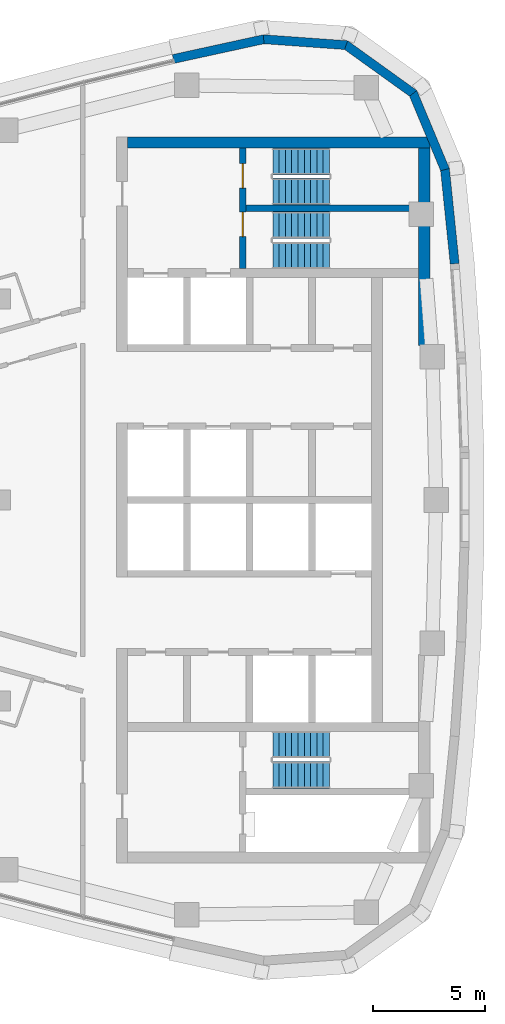
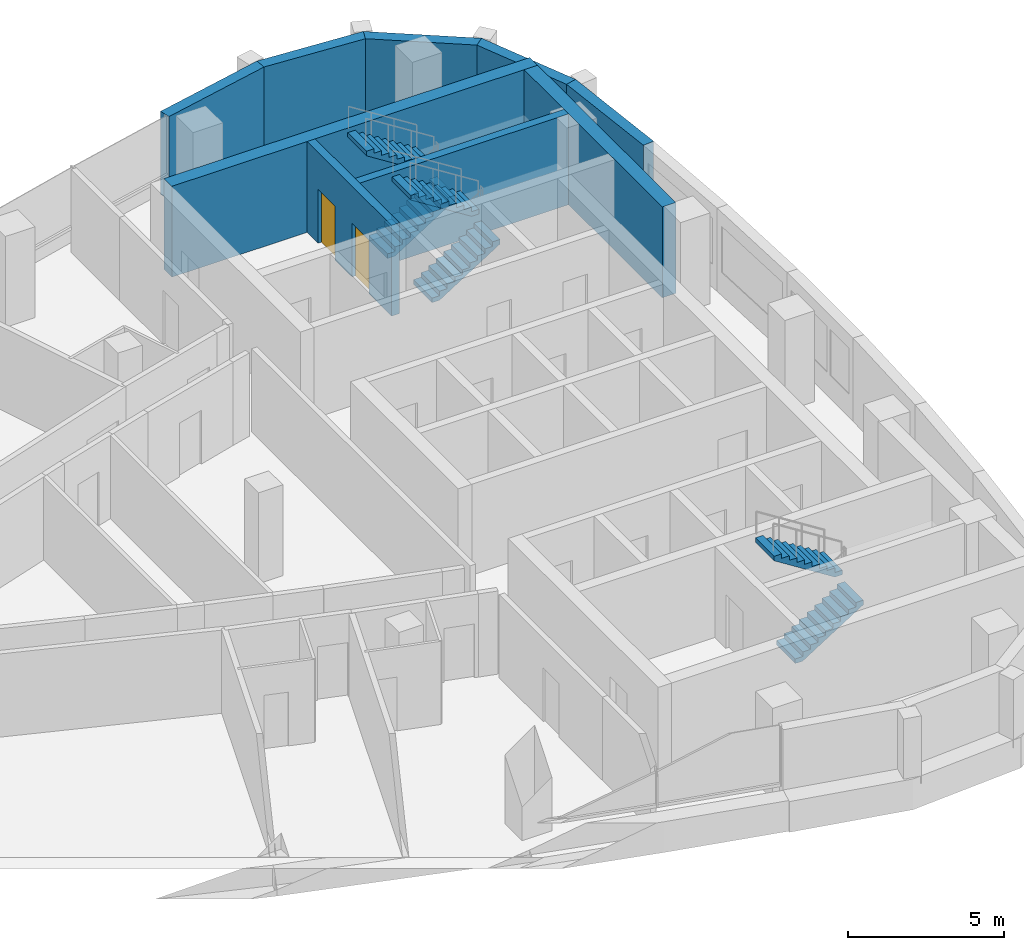
# One storey, part 10 of 14: 9 walls, 6 stair flights, 2 doors, 2 openings, 3 elements without a shape of their own.
"""IFC4 building model written with IfcOpenShell, lengths in metres."""

from ifc_helpers import new_model, si_unit, direction, frame, frame_2d, origin, place, context, subcontext, project, spatial, polyline, rectangle, outline, extrude, material, layer, layer_set, type_object, element, fill, aggregate, save


model = new_model("IFC4")

# Units and contexts
model_context = context("Model", 3, precision=1e-05, world=origin(), true_north=direction((0.0, 1.0)))
body_context = subcontext(model_context, "Body", "Model", "MODEL_VIEW")
ifc_project = project(units=[si_unit("LENGTHUNIT", "METRE"), si_unit("AREAUNIT", "SQUARE_METRE"), si_unit("VOLUMEUNIT", "CUBIC_METRE"), si_unit("PLANEANGLEUNIT", "RADIAN"), si_unit("MASSUNIT", "GRAM", prefix="KILO")], contexts=[model_context])

# Site, building, storey
site_placement = place(None, origin())
site = spatial("IfcSite", under=ifc_project, at=site_placement, CompositionType="ELEMENT")
building_placement = place(site_placement, origin())
building = spatial("IfcBuilding", under=site, at=building_placement, Name="Ostrand Prow Hotel Tower", CompositionType="ELEMENT")
storey_placement = place(building_placement, frame((0.0, 0.0, 271.449951171875)))
storey = spatial("IfcBuildingStorey", under=building, at=storey_placement, Name="L68", CompositionType="ELEMENT", Elevation=271.449951171875)

# Wall, openings, doors
ifc_material_1 = material(Name="Concrete C50/60", Category="concrete")
ifc_layer_1 = layer(ifc_material_1, 0.300048828125)
ifc_layer_set_1 = layer_set([ifc_layer_1], Name="Concrete C50/60")
wall_type_1 = type_object("IfcWallType", Name="Core wall 300 C50/60", PredefinedType="SHEAR", material=ifc_layer_set_1)
wall_1_placement = place(storey_placement, frame((55.85009765625, 10.35009765625, 0.0), z_axis=(0.0, 0.0, 1.0), x_axis=(0.0, 1.0, 0.0)))
wall_1 = element("IfcWall", 1, at=wall_1_placement, inside=storey, type_object=wall_type_1, Name="Core wall PW-VN", PredefinedType="SHEAR", context=body_context, shape_type="SweptSolid", body=[
    extrude(rectangle(XDim=5.39990234375, YDim=0.300048828125, at=frame_2d((2.699951171875, 0.0))), origin(), (0.0, 0.0, 1.0), 3.550048828125),
])
opening_1_placement = place(wall_1_placement, frame((1.429931640625, 0.0, 0.0)))
opening_1 = element("IfcOpeningElement", 2, at=opening_1_placement, cuts=wall_1, Name="Opening FD1", PredefinedType="OPENING", context=body_context, shape_type="SweptSolid", body=[
    extrude(rectangle(XDim=1.10009765625, YDim=2.10009765625, at=frame_2d((0.550048828125, 1.050048828125))), frame((0.0, 0.159912109375, 0.0), z_axis=(0.0, -1.0, 0.0), x_axis=(1.0, 0.0, 0.0)), (0.0, 0.0, 1.0), 0.320068359375),
])
opening_2_placement = place(wall_1_placement, frame((3.60009765625, 0.0, 0.0)))
opening_2 = element("IfcOpeningElement", 3, at=opening_2_placement, cuts=wall_1, Name="Opening FD1", PredefinedType="OPENING", context=body_context, shape_type="SweptSolid", body=[
    extrude(rectangle(XDim=1.10009765625, YDim=2.10009765625, at=frame_2d((0.550048828125, 1.050048828125))), frame((0.0, 0.159912109375, 0.0), z_axis=(0.0, -1.0, 0.0), x_axis=(1.0, 0.0, 0.0)), (0.0, 0.0, 1.0), 0.320068359375),
])
ifc_material_2 = material(Name="Steel fire door", Category="steel")
door_type = type_object("IfcDoorType", Name="Fire door 1100 EI120", OperationType="SINGLE_SWING_RIGHT", PredefinedType="DOOR", material=ifc_material_2)
door_1_placement = place(opening_1_placement, origin())
door_1 = element("IfcDoor", 4, at=door_1_placement, inside=storey, type_object=door_type, Name="FIRE DOOR", OperationType="SINGLE_SWING_RIGHT", OverallHeight=2.10009765625, OverallWidth=1.10009765625, PredefinedType="DOOR", context=body_context, shape_type="SweptSolid", body=[
    extrude(rectangle(XDim=1.10009765625, YDim=2.10009765625, at=frame_2d((0.550048828125, 1.050048828125))), frame((0.0, 0.02490234375, 0.0), z_axis=(0.0, -1.0, 0.0), x_axis=(1.0, 0.0, 0.0)), (0.0, 0.0, 1.0), 0.050048828125),
])
fill(opening_1, door_1)
door_2_placement = place(opening_2_placement, origin())
door_2 = element("IfcDoor", 5, at=door_2_placement, inside=storey, type_object=door_type, Name="FIRE DOOR", OperationType="SINGLE_SWING_RIGHT", OverallHeight=2.10009765625, OverallWidth=1.10009765625, PredefinedType="DOOR", context=body_context, shape_type="SweptSolid", body=[
    extrude(rectangle(XDim=1.10009765625, YDim=2.10009765625, at=frame_2d((0.550048828125, 1.050048828125))), frame((0.0, 0.02490234375, 0.0), z_axis=(0.0, -1.0, 0.0), x_axis=(1.0, 0.0, 0.0)), (0.0, 0.0, 1.0), 0.050048828125),
])
fill(opening_2, door_2)

# Walls
wall_2_placement = place(storey_placement, frame((56.0, 13.050048828125, 0.0), z_axis=(0.0, 0.0, 1.0), x_axis=(1.0, 0.0, 0.0)))
element("IfcWall", 6, at=wall_2_placement, inside=storey, type_object=wall_type_1, Name="Core wall PW-ST13", PredefinedType="SHEAR", context=body_context, shape_type="SweptSolid", body=[
    extrude(rectangle(XDim=7.719970703125, YDim=0.300048828125, at=frame_2d((3.85986328125, 0.0))), origin(), (0.0, 0.0, 1.0), 3.550048828125),
])
ifc_material_3 = material(Name="Concrete C50/60", Category="concrete")
ifc_layer_2 = layer(ifc_material_3, 0.5)
ifc_layer_set_2 = layer_set([ifc_layer_2], Name="Concrete C50/60")
wall_type_2 = type_object("IfcWallType", Name="Core wall 500 C50/60", PredefinedType="SHEAR", material=ifc_layer_set_2)
wall_3_placement = place(storey_placement, frame((50.699951171875, 16.0, 0.0), z_axis=(0.0, 0.0, 1.0), x_axis=(1.0, 0.0, 0.0)))
element("IfcWall", 7, at=wall_3_placement, inside=storey, type_object=wall_type_2, Name="Core wall CW-N", PredefinedType="SHEAR", context=body_context, shape_type="SweptSolid", body=[
    extrude(rectangle(XDim=13.52001953125, YDim=0.5, at=frame_2d((6.760009765625, 0.0))), origin(), (0.0, 0.0, 1.0), 3.550048828125),
])
wall_4_placement = place(storey_placement, frame((63.969970703125, 6.9033203125, 0.0), z_axis=(0.0, 0.0, 1.0), x_axis=(0.0, 1.0, 0.0)))
element("IfcWall", 8, at=wall_4_placement, inside=storey, type_object=wall_type_2, Name="Core wall CW-E-N", PredefinedType="SHEAR", context=body_context, shape_type="SweptSolid", body=[
    extrude(rectangle(XDim=8.8466796875, YDim=0.5, at=frame_2d((4.42333984375, 0.0))), origin(), (0.0, 0.0, 1.0), 3.550048828125),
])
ifc_material_4 = material(Name="Precast concrete C40/50", Category="concrete")
ifc_layer_3 = layer(ifc_material_4, 0.39990234375)
ifc_layer_set_3 = layer_set([ifc_layer_3], Name="Precast concrete C40/50")
wall_type_3 = type_object("IfcWallType", Name="Stone-faced precast wall 400 mm", PredefinedType="NOTDEFINED", material=ifc_layer_set_3)
wall_5_placement = place(storey_placement, frame((65.3310546875, 10.5712890625, 0.0), z_axis=(0.0, 0.0, 1.0), x_axis=(-0.102249826987, 0.994758751096, 0.0)))
element("IfcWall", 9, at=wall_5_placement, inside=storey, type_object=wall_type_3, Name="Stone-faced wall back 11", PredefinedType="NOTDEFINED", context=body_context, shape_type="SweptSolid", body=[
    extrude(outline(polyline([(-0.00341796875, -0.199951171875), (4.262939453125, -0.199951171875), (4.203857421875, 0.199951171875), (0.00341796875, 0.199951171875), (-0.00341796875, -0.199951171875)])), origin(), (0.0, 0.0, 1.0), 3.25),
])
wall_6_placement = place(storey_placement, frame((64.898193359375, 14.782470703125, 0.0), z_axis=(0.0, 0.0, 1.0), x_axis=(-0.385285857918, 0.922797273343, 0.0)))
element("IfcWall", 10, at=wall_6_placement, inside=storey, type_object=wall_type_3, Name="Stone-faced wall back 12", PredefinedType="NOTDEFINED", context=body_context, shape_type="SweptSolid", body=[
    extrude(outline(polyline([(-0.029541015625, -0.199951171875), (3.75341796875, -0.199951171875), (3.64013671875, 0.199951171875), (0.029541015625, 0.199951171875), (-0.029541015625, -0.199951171875)])), origin(), (0.0, 0.0, 1.0), 3.25),
])
wall_7_placement = place(storey_placement, frame((63.473876953125, 18.19384765625, 0.0), z_axis=(0.0, 0.0, 1.0), x_axis=(-0.811962548682, 0.583709533533, 0.0)))
element("IfcWall", 11, at=wall_7_placement, inside=storey, type_object=wall_type_3, Name="Stone-faced wall back 13", PredefinedType="NOTDEFINED", context=body_context, shape_type="SweptSolid", body=[
    extrude(outline(polyline([(-0.056640625, -0.199951171875), (3.753173828125, -0.199951171875), (3.639892578125, 0.199951171875), (0.056640625, 0.199951171875), (-0.056640625, -0.199951171875)])), origin(), (0.0, 0.0, 1.0), 3.25),
])
wall_8_placement = place(storey_placement, frame((60.472412109375, 20.3515625, 0.0), z_axis=(0.0, 0.0, 1.0), x_axis=(-0.99746272096, 0.071190731806, 0.0)))
element("IfcWall", 12, at=wall_8_placement, inside=storey, type_object=wall_type_3, Name="Stone-faced wall back 14", PredefinedType="NOTDEFINED", context=body_context, shape_type="SweptSolid", body=[
    extrude(outline(polyline([(-0.056640625, -0.199951171875), (3.7255859375, -0.199951171875), (3.66796875, 0.199951171875), (0.056640625, 0.199951171875), (-0.056640625, -0.199951171875)])), origin(), (0.0, 0.0, 1.0), 3.25),
])
wall_9_placement = place(storey_placement, frame((56.784912109375, 20.61474609375, 0.0), z_axis=(0.0, 0.0, 1.0), x_axis=(-0.977020225348, -0.213146614471, 0.0)))
element("IfcWall", 13, at=wall_9_placement, inside=storey, type_object=wall_type_3, Name="Stone-faced wall back 15", PredefinedType="NOTDEFINED", context=body_context, shape_type="SweptSolid", body=[
    extrude(outline(polyline([(-0.02880859375, -0.199951171875), (4.141845703125, -0.199951171875), (4.141845703125, 0.199951171875), (0.02880859375, 0.199951171875), (-0.02880859375, -0.199951171875)])), origin(), (0.0, 0.0, 1.0), 3.25),
])

# Stair, stair flights
ifc_material_5 = material(Name="Concrete C40/50", Category="concrete")
stair_type = type_object("IfcStairType", Name="Exit stair 1200 upper zone", PredefinedType="HALF_TURN_STAIR", material=ifc_material_5)
stair_1_placement = place(storey_placement, origin())
stair_1 = element("IfcStair", 14, at=stair_1_placement, inside=storey, type_object=stair_type, Name="L68 ST1C", PredefinedType="HALF_TURN_STAIR")
ifc_material_6 = material(Name="Concrete C40/50", Category="concrete")
stair_flight_type = type_object("IfcStairFlightType", Name="Stair flight 1200 concrete", PredefinedType="STRAIGHT", material=ifc_material_6)
stair_flight_1_placement = place(storey_placement, frame((57.199951171875, 10.949951171875, 0.0), z_axis=(0.0, 0.0, 1.0), x_axis=(1.0, 0.0, 0.0)))
stair_flight_1 = element("IfcStairFlight", 15, at=stair_flight_1_placement, type_object=stair_flight_type, Name="ST1C flight 1", NumberOfRisers=10, NumberOfTreads=9, PredefinedType="STRAIGHT", RiserHeight=0.1775, TreadLength=0.28, context=body_context, shape_type="SweptSolid", body=[
    extrude(outline(polyline([(0.0, 0.0), (0.0, 0.177490234375), (0.280029296875, 0.177490234375), (0.280029296875, 0.35498046875), (0.56005859375, 0.35498046875), (0.56005859375, 0.532470703125), (0.840087890625, 0.532470703125), (0.840087890625, 0.7099609375), (1.1201171875, 0.7099609375), (1.1201171875, 0.887451171875), (1.39990234375, 0.887451171875), (1.39990234375, 1.06494140625), (1.679931640625, 1.06494140625), (1.679931640625, 1.242431640625), (1.9599609375, 1.242431640625), (1.9599609375, 1.419921875), (2.239990234375, 1.419921875), (2.239990234375, 1.597412109375), (2.52001953125, 1.597412109375), (2.52001953125, 1.77490234375), (2.52001953125, 1.419921875), (0.280029296875, 0.0), (0.0, 0.0)])), frame((0.0, 0.60009765625, 0.0), z_axis=(0.0, -1.0, 0.0), x_axis=(1.0, 0.0, 0.0)), (0.0, 0.0, 1.0), 1.199951171875),
])
stair_flight_2_placement = place(storey_placement, frame((59.719970703125, 12.300048828125, 1.775146484375), z_axis=(0.0, 0.0, 1.0), x_axis=(-1.0, 0.0, 0.0)))
stair_flight_2 = element("IfcStairFlight", 16, at=stair_flight_2_placement, type_object=stair_flight_type, Name="ST1C flight 2", NumberOfRisers=10, NumberOfTreads=9, PredefinedType="STRAIGHT", RiserHeight=0.1775, TreadLength=0.28, context=body_context, shape_type="SweptSolid", body=[
    extrude(outline(polyline([(0.0, 0.0), (0.0, 0.177490234375), (0.280029296875, 0.177490234375), (0.280029296875, 0.35498046875), (0.56005859375, 0.35498046875), (0.56005859375, 0.532470703125), (0.840087890625, 0.532470703125), (0.840087890625, 0.7099609375), (1.1201171875, 0.7099609375), (1.1201171875, 0.887451171875), (1.39990234375, 0.887451171875), (1.39990234375, 1.06494140625), (1.679931640625, 1.06494140625), (1.679931640625, 1.242431640625), (1.9599609375, 1.242431640625), (1.9599609375, 1.419921875), (2.239990234375, 1.419921875), (2.239990234375, 1.597412109375), (2.52001953125, 1.597412109375), (2.52001953125, 1.77490234375), (2.52001953125, 1.419921875), (0.280029296875, 0.0), (0.0, 0.0)])), frame((0.0, 0.60009765625, 0.0), z_axis=(0.0, -1.0, 0.0), x_axis=(1.0, 0.0, 0.0)), (0.0, 0.0, 1.0), 1.199951171875),
])
aggregate(stair_1, [stair_flight_1, stair_flight_2])

stair_2_placement = place(storey_placement, origin())
stair_2 = element("IfcStair", 17, at=stair_2_placement, inside=storey, type_object=stair_type, Name="L68 ST3C", PredefinedType="HALF_TURN_STAIR")
stair_flight_3_placement = place(storey_placement, frame((57.199951171875, 13.800048828125, 0.0), z_axis=(0.0, 0.0, 1.0), x_axis=(1.0, 0.0, 0.0)))
stair_flight_3 = element("IfcStairFlight", 18, at=stair_flight_3_placement, type_object=stair_flight_type, Name="ST3C flight 1", NumberOfRisers=10, NumberOfTreads=9, PredefinedType="STRAIGHT", RiserHeight=0.1775, TreadLength=0.28, context=body_context, shape_type="SweptSolid", body=[
    extrude(outline(polyline([(0.0, 0.0), (0.0, 0.177490234375), (0.280029296875, 0.177490234375), (0.280029296875, 0.35498046875), (0.56005859375, 0.35498046875), (0.56005859375, 0.532470703125), (0.840087890625, 0.532470703125), (0.840087890625, 0.7099609375), (1.1201171875, 0.7099609375), (1.1201171875, 0.887451171875), (1.39990234375, 0.887451171875), (1.39990234375, 1.06494140625), (1.679931640625, 1.06494140625), (1.679931640625, 1.242431640625), (1.9599609375, 1.242431640625), (1.9599609375, 1.419921875), (2.239990234375, 1.419921875), (2.239990234375, 1.597412109375), (2.52001953125, 1.597412109375), (2.52001953125, 1.77490234375), (2.52001953125, 1.419921875), (0.280029296875, 0.0), (0.0, 0.0)])), frame((0.0, 0.60009765625, 0.0), z_axis=(0.0, -1.0, 0.0), x_axis=(1.0, 0.0, 0.0)), (0.0, 0.0, 1.0), 1.199951171875),
])
stair_flight_4_placement = place(storey_placement, frame((59.719970703125, 15.14990234375, 1.775146484375), z_axis=(0.0, 0.0, 1.0), x_axis=(-1.0, 0.0, 0.0)))
stair_flight_4 = element("IfcStairFlight", 19, at=stair_flight_4_placement, type_object=stair_flight_type, Name="ST3C flight 2", NumberOfRisers=10, NumberOfTreads=9, PredefinedType="STRAIGHT", RiserHeight=0.1775, TreadLength=0.28, context=body_context, shape_type="SweptSolid", body=[
    extrude(outline(polyline([(0.0, 0.0), (0.0, 0.177490234375), (0.280029296875, 0.177490234375), (0.280029296875, 0.35498046875), (0.56005859375, 0.35498046875), (0.56005859375, 0.532470703125), (0.840087890625, 0.532470703125), (0.840087890625, 0.7099609375), (1.1201171875, 0.7099609375), (1.1201171875, 0.887451171875), (1.39990234375, 0.887451171875), (1.39990234375, 1.06494140625), (1.679931640625, 1.06494140625), (1.679931640625, 1.242431640625), (1.9599609375, 1.242431640625), (1.9599609375, 1.419921875), (2.239990234375, 1.419921875), (2.239990234375, 1.597412109375), (2.52001953125, 1.597412109375), (2.52001953125, 1.77490234375), (2.52001953125, 1.419921875), (0.280029296875, 0.0), (0.0, 0.0)])), frame((0.0, 0.60009765625, 0.0), z_axis=(0.0, -1.0, 0.0), x_axis=(1.0, 0.0, 0.0)), (0.0, 0.0, 1.0), 1.199951171875),
])
aggregate(stair_2, [stair_flight_3, stair_flight_4])

stair_3_placement = place(storey_placement, origin())
stair_3 = element("IfcStair", 20, at=stair_3_placement, inside=storey, type_object=stair_type, Name="L68 ST2C", PredefinedType="HALF_TURN_STAIR")
stair_flight_5_placement = place(storey_placement, frame((57.199951171875, -12.300048828125, 0.0), z_axis=(0.0, 0.0, 1.0), x_axis=(1.0, 0.0, 0.0)))
stair_flight_5 = element("IfcStairFlight", 21, at=stair_flight_5_placement, type_object=stair_flight_type, Name="ST2C flight 1", NumberOfRisers=10, NumberOfTreads=9, PredefinedType="STRAIGHT", RiserHeight=0.1775, TreadLength=0.28, context=body_context, shape_type="SweptSolid", body=[
    extrude(outline(polyline([(0.0, 0.0), (0.0, 0.177490234375), (0.280029296875, 0.177490234375), (0.280029296875, 0.35498046875), (0.56005859375, 0.35498046875), (0.56005859375, 0.532470703125), (0.840087890625, 0.532470703125), (0.840087890625, 0.7099609375), (1.1201171875, 0.7099609375), (1.1201171875, 0.887451171875), (1.39990234375, 0.887451171875), (1.39990234375, 1.06494140625), (1.679931640625, 1.06494140625), (1.679931640625, 1.242431640625), (1.9599609375, 1.242431640625), (1.9599609375, 1.419921875), (2.239990234375, 1.419921875), (2.239990234375, 1.597412109375), (2.52001953125, 1.597412109375), (2.52001953125, 1.77490234375), (2.52001953125, 1.419921875), (0.280029296875, 0.0), (0.0, 0.0)])), frame((0.0, 0.60009765625, 0.0), z_axis=(0.0, -1.0, 0.0), x_axis=(1.0, 0.0, 0.0)), (0.0, 0.0, 1.0), 1.199951171875),
])
stair_flight_6_placement = place(storey_placement, frame((59.719970703125, -10.949951171875, 1.775146484375), z_axis=(0.0, 0.0, 1.0), x_axis=(-1.0, 0.0, 0.0)))
stair_flight_6 = element("IfcStairFlight", 22, at=stair_flight_6_placement, type_object=stair_flight_type, Name="ST2C flight 2", NumberOfRisers=10, NumberOfTreads=9, PredefinedType="STRAIGHT", RiserHeight=0.1775, TreadLength=0.28, context=body_context, shape_type="SweptSolid", body=[
    extrude(outline(polyline([(0.0, 0.0), (0.0, 0.177490234375), (0.280029296875, 0.177490234375), (0.280029296875, 0.35498046875), (0.56005859375, 0.35498046875), (0.56005859375, 0.532470703125), (0.840087890625, 0.532470703125), (0.840087890625, 0.7099609375), (1.1201171875, 0.7099609375), (1.1201171875, 0.887451171875), (1.39990234375, 0.887451171875), (1.39990234375, 1.06494140625), (1.679931640625, 1.06494140625), (1.679931640625, 1.242431640625), (1.9599609375, 1.242431640625), (1.9599609375, 1.419921875), (2.239990234375, 1.419921875), (2.239990234375, 1.597412109375), (2.52001953125, 1.597412109375), (2.52001953125, 1.77490234375), (2.52001953125, 1.419921875), (0.280029296875, 0.0), (0.0, 0.0)])), frame((0.0, 0.60009765625, 0.0), z_axis=(0.0, -1.0, 0.0), x_axis=(1.0, 0.0, 0.0)), (0.0, 0.0, 1.0), 1.199951171875),
])
aggregate(stair_3, [stair_flight_5, stair_flight_6])

save(model, "model.ifc")
